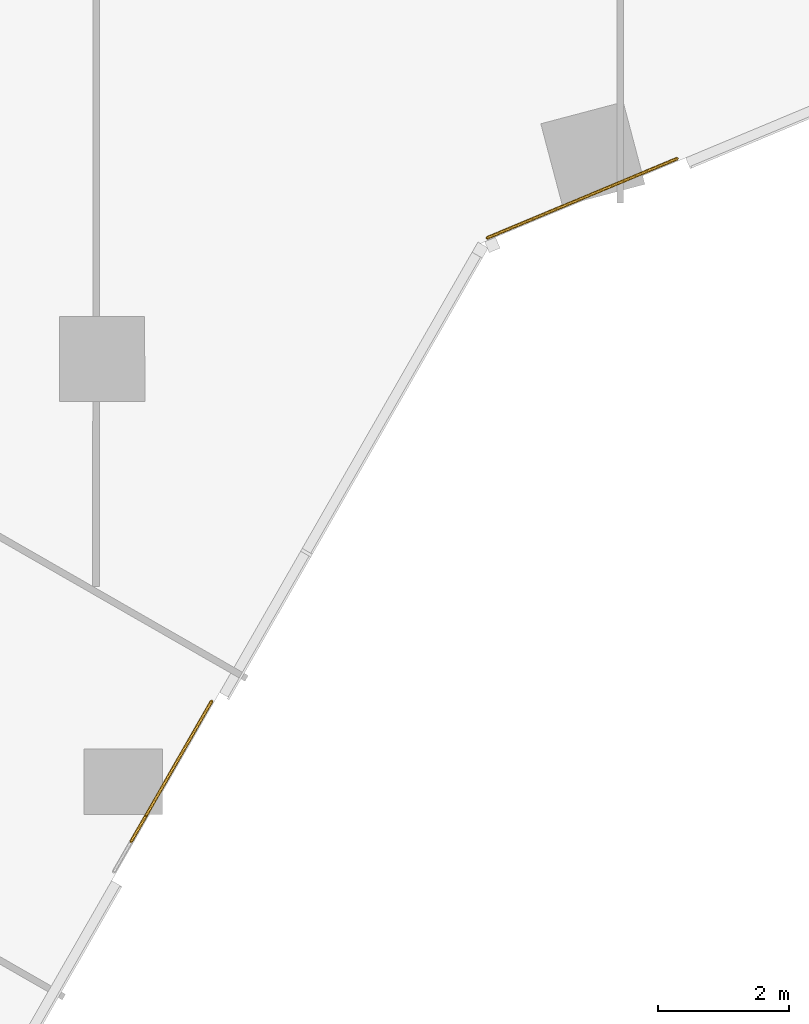
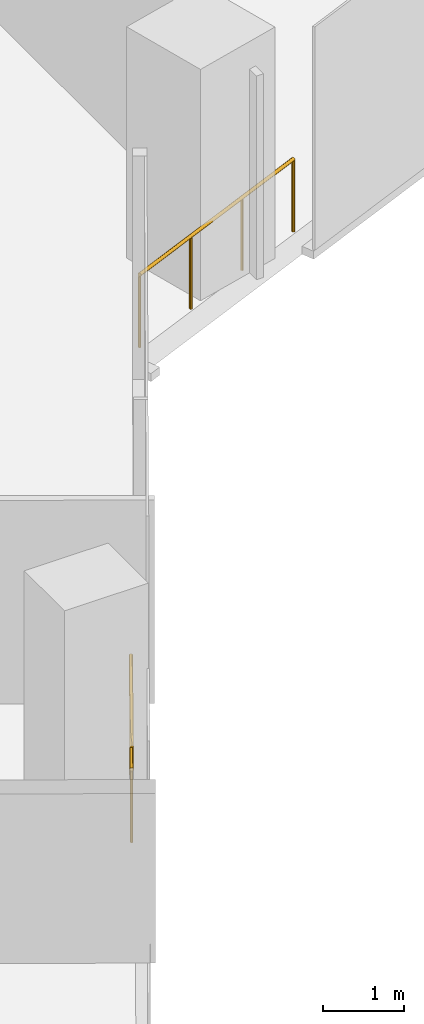
# One storey, part 30 of 34: 3 railings.
"""IFC4 building model written with IfcOpenShell, lengths in metres."""

import ifcopenshell
import ifcopenshell.guid

model = None  # the IFC model being written
_history = None  # IfcOwnerHistory: only IFC2X3 demands one
_inside = {}  # id of a spatial element -> (the spatial element, [elements in it])
_under = {}  # id of a project, library or spatial element -> (it, [spatial elements below it])
_declared = {}  # id of a project -> (the project, [libraries it declares])
_typed = {}  # id of a type object -> (the type object, [elements of that type])
_made_of = {}  # id of a material, layer set ... -> (it, [elements and type objects made of it])


def new_model(schema):
    """Start an empty IFC model of exactly this schema.

    Asked for "IFC4X3", IfcOpenShell would pick the latest addendum, in which some entities
    have other attributes; the version numbers below select the first issue.
    IFC2X3 requires an IfcOwnerHistory on every rooted entity: one is made here for all.
    """
    global model, _history
    if schema == "IFC4X3":
        model = ifcopenshell.file(schema_version=(4, 3, 0, 0))
    else:
        model = ifcopenshell.file(schema=schema)
    _inside.clear()
    _under.clear()
    _declared.clear()
    _typed.clear()
    _made_of.clear()
    _history = None
    if model.schema == "IFC2X3":
        org = make("IfcOrganization", Name="unknown")
        user = make(
            "IfcPersonAndOrganization",
            ThePerson=make("IfcPerson", FamilyName="unknown"),
            TheOrganization=org,
        )
        app = make(
            "IfcApplication",
            ApplicationDeveloper=org,
            Version="unknown",
            ApplicationFullName="unknown",
            ApplicationIdentifier="unknown",
        )
        _history = make(
            "IfcOwnerHistory",
            OwningUser=user,
            OwningApplication=app,
            ChangeAction="ADDED",
            CreationDate=0,
        )
    return model


def make(cls, **values):
    """One entity of the class cls with the attributes given. An attribute that is None is left unset."""
    return model.create_entity(
        cls, **{name: value for name, value in values.items() if value is not None}
    )


def rooted(cls, **values):
    """An entity with a GlobalId (a new one), such as an element, a storey or a relation."""
    return make(cls, GlobalId=ifcopenshell.guid.new(), OwnerHistory=_history, **values)


def si_unit(unit_type, name, prefix=None):
    """IfcSIUnit, for example si_unit("LENGTHUNIT", "METRE", prefix="MILLI")."""
    return make("IfcSIUnit", UnitType=unit_type, Prefix=prefix, Name=name)


def assignment(units):
    """IfcUnitAssignment: the units of a project."""
    return None if units is None else make("IfcUnitAssignment", Units=units)


def point(xyz):
    """IfcCartesianPoint."""
    return None if xyz is None else make("IfcCartesianPoint", Coordinates=xyz)


def direction(xyz):
    """IfcDirection."""
    return None if xyz is None else make("IfcDirection", DirectionRatios=xyz)


def frame(location, z_axis=None, x_axis=None):
    """IfcAxis2Placement3D, a coordinate frame: its origin and axes. An axis left out is left unset."""
    return make(
        "IfcAxis2Placement3D",
        Location=point(location),
        Axis=direction(z_axis),
        RefDirection=direction(x_axis),
    )


def frame_2d(location, x_axis=None):
    """IfcAxis2Placement2D, a coordinate frame in the plane: its origin and x axis."""
    return make(
        "IfcAxis2Placement2D", Location=point(location), RefDirection=direction(x_axis)
    )


def origin():
    """The frame at (0, 0, 0) with its axes left unset."""
    return frame((0.0, 0.0, 0.0))


def origin_2d():
    """The frame at (0, 0) in the plane with its x axis left unset."""
    return frame_2d((0.0, 0.0))


def place(relative_to, where):
    """IfcLocalPlacement: puts the frame where relative to a parent placement (None: the world)."""
    return make(
        "IfcLocalPlacement", PlacementRelTo=relative_to, RelativePlacement=where
    )


def context(
    kind, dimensions, precision=None, world=None, true_north=None, identifier=None
):
    """IfcGeometricRepresentationContext, for example the 3D "Model" context."""
    return make(
        "IfcGeometricRepresentationContext",
        ContextIdentifier=identifier,
        ContextType=kind,
        CoordinateSpaceDimension=dimensions,
        Precision=precision,
        WorldCoordinateSystem=world,
        TrueNorth=true_north,
    )


def subcontext(parent, identifier, kind, view, scale=None):
    """IfcGeometricRepresentationSubContext, for example "Body" below "Model"."""
    return make(
        "IfcGeometricRepresentationSubContext",
        ContextIdentifier=identifier,
        ContextType=kind,
        ParentContext=parent,
        TargetScale=scale,
        TargetView=view,
    )


def project(units=None, contexts=None):
    """IfcProject with its units and contexts."""
    return rooted(
        "IfcProject",
        Name="project",
        RepresentationContexts=contexts,
        UnitsInContext=assignment(units),
    )


def spatial(cls, under=None, at=None, **own):
    """A site, building, storey or space (cls), placed at a placement, below another one or the project."""
    s = rooted(cls, ObjectPlacement=at, **own)
    if under is not None:
        _under.setdefault(under.id(), (under, []))[1].append(s)
    return s


def profile(cls, at=None, kind="AREA", **sizes):
    """A parametric profile (cls). Its sizes go by their IFC names, for example OverallWidth=200.0."""
    return make(cls, ProfileType=kind, Position=at, **sizes)


def circle(**sizes):
    """IfcCircleProfileDef."""
    return profile("IfcCircleProfileDef", **sizes)


def extrude(swept, where, along, depth):
    """IfcExtrudedAreaSolid: the profile swept, set in the frame where, extruded along a direction by depth."""
    return make(
        "IfcExtrudedAreaSolid",
        SweptArea=swept,
        Position=where,
        ExtrudedDirection=direction(along),
        Depth=depth,
    )


def shape(context_of_items, identifier, shape_type, items):
    """IfcShapeRepresentation: the items that make up one representation, for example the "Body"."""
    return make(
        "IfcShapeRepresentation",
        ContextOfItems=context_of_items,
        RepresentationIdentifier=identifier,
        RepresentationType=shape_type,
        Items=items,
    )


def material(Name=None, Category=None):
    """IfcMaterial."""
    return make("IfcMaterial", Name=Name, Category=Category)


def made_of(thing, what):
    """Note that an element or type object is made of a material, layer set ...; save() writes the relation."""
    if what is not None:
        _made_of.setdefault(what.id(), (what, []))[1].append(thing)
    return thing


def type_object(cls, material=None, **own):
    """A type object (cls), such as IfcWallType, which elements share."""
    return made_of(rooted(cls, **own), material)


def element(
    cls,
    number,
    at=None,
    inside=None,
    cuts=None,
    type_object=None,
    material=None,
    context=None,
    identifier="Body",
    shape_type=None,
    held_by="IfcProductDefinitionShape",
    body=None,
    shapes=None,
    **own,
):
    """One element of the class cls, such as IfcWall. Its Tag is "e" and its number.

    at: its placement. inside: the storey or other place that contains it. cuts: it is an
    opening in that element (IfcRelVoidsElement). A single representation is given by context,
    identifier, shape_type and body (its items); several are given by shapes. held_by: the class
    of the entity that holds the representations. save() writes the other relations.
    """
    e = rooted(cls, Tag="e%d" % number, ObjectPlacement=at, **own)
    if body is not None:
        shapes = [shape(context, identifier, shape_type, body)]
    if shapes is not None:
        e.Representation = make(held_by, Representations=shapes)
    if inside is not None:
        _inside.setdefault(inside.id(), (inside, []))[1].append(e)
    if cuts is not None:
        rooted(
            "IfcRelVoidsElement", RelatingBuildingElement=cuts, RelatedOpeningElement=e
        )
    if type_object is not None:
        _typed.setdefault(type_object.id(), (type_object, []))[1].append(e)
    return made_of(e, material)


def aggregate(whole, parts):
    """IfcRelAggregates: a whole, such as a stair, and the parts it consists of."""
    return rooted("IfcRelAggregates", RelatingObject=whole, RelatedObjects=parts)


def save(model, path):
    """Write the relations noted so far, then the file.

    IfcRelAggregates (storeys below a building ...), IfcRelContainedInSpatialStructure (elements
    in a storey), IfcRelDefinesByType, IfcRelAssociatesMaterial and IfcRelDeclares: one each for
    every whole, place, type object, material and project.
    """
    for whole, parts in _under.values():
        aggregate(whole, parts)
    for where, things in _inside.values():
        rooted(
            "IfcRelContainedInSpatialStructure",
            RelatedElements=things,
            RelatingStructure=where,
        )
    for kind, things in _typed.values():
        rooted("IfcRelDefinesByType", RelatedObjects=things, RelatingType=kind)
    for what, things in _made_of.values():
        rooted("IfcRelAssociatesMaterial", RelatedObjects=things, RelatingMaterial=what)
    for by, libraries in _declared.values():
        rooted("IfcRelDeclares", RelatingContext=by, RelatedDefinitions=libraries)
    model.write(path)


model = new_model("IFC4")

# Units and contexts
model_context = context("Model", 3, precision=1e-05, world=origin(), true_north=direction((0.0, 1.0)))
body_context = subcontext(model_context, "Body", "Model", "MODEL_VIEW")
ifc_project = project(units=[si_unit("LENGTHUNIT", "METRE"), si_unit("AREAUNIT", "SQUARE_METRE"), si_unit("VOLUMEUNIT", "CUBIC_METRE"), si_unit("PLANEANGLEUNIT", "RADIAN"), si_unit("MASSUNIT", "GRAM", prefix="KILO")], contexts=[model_context])

# Site, building, storey
site_placement = place(None, origin())
site = spatial("IfcSite", under=ifc_project, at=site_placement, CompositionType="ELEMENT")
building_placement = place(site_placement, origin())
building = spatial("IfcBuilding", under=site, at=building_placement, Name="Orlundy Tower", CompositionType="ELEMENT")
storey_placement = place(building_placement, frame((0.0, 0.0, 102.199951171875)))
storey = spatial("IfcBuildingStorey", under=building, at=storey_placement, Name="L25", CompositionType="ELEMENT", Elevation=102.199951171875)

# Railings
ifc_material = material(Name="Stainless steel bronze finish", Category="steel")
railing_type = type_object("IfcRailingType", Name="TG1 terrace guard", PredefinedType="GUARDRAIL", material=ifc_material)
railing_1_placement = place(storey_placement, frame((8.86865234375, -28.76416015625, 0.0)))
element("IfcRailing", 1, at=railing_1_placement, inside=storey, type_object=railing_type, Name="Guard TG-L25-E07", PredefinedType="GUARDRAIL", context=body_context, shape_type="SweptSolid", body=[
    extrude(circle(Radius=0.02490234375, at=origin_2d()), frame((0.0, 0.0, 1.09521484375), z_axis=(-0.922766308156, -0.385360014183, 0.0), x_axis=(0.385360014183, -0.922766308156, 0.0)), (0.0, 0.0, 1.0), 3.142333984375),
    extrude(circle(Radius=0.02001953125, at=origin_2d()), origin(), (0.0, 0.0, 1.0), 1.070068359375),
    extrude(circle(Radius=0.02001953125, at=origin_2d()), frame((-0.966552734375, -0.403564453125, 0.0)), (0.0, 0.0, 1.0), 1.070068359375),
    extrude(circle(Radius=0.02001953125, at=origin_2d()), frame((-1.93310546875, -0.807373046875, 0.0)), (0.0, 0.0, 1.0), 1.070068359375),
    extrude(circle(Radius=0.02001953125, at=origin_2d()), frame((-2.899658203125, -1.2109375, 0.0)), (0.0, 0.0, 1.0), 1.070068359375),
])
railing_2_placement = place(storey_placement, frame((1.76318359375, -37.047607421875, 0.0)))
element("IfcRailing", 2, at=railing_2_placement, inside=storey, type_object=railing_type, Name="Guard TG-L25-E020", PredefinedType="GUARDRAIL", context=body_context, shape_type="SweptSolid", body=[
    extrude(circle(Radius=0.02490234375, at=origin_2d()), frame((0.0, 0.0, 1.09521484375), z_axis=(-0.497356344918, -0.867546348139, 0.0), x_axis=(0.867546348139, -0.497356344918, 0.0)), (0.0, 0.0, 1.0), 2.029296875),
    extrude(circle(Radius=0.02001953125, at=origin_2d()), origin(), (0.0, 0.0, 1.0), 1.070068359375),
    extrude(circle(Radius=0.02001953125, at=origin_2d()), frame((-0.504638671875, -0.88037109375, 0.0)), (0.0, 0.0, 1.0), 1.070068359375),
    extrude(circle(Radius=0.02001953125, at=origin_2d()), frame((-1.00927734375, -1.760498046875, 0.0)), (0.0, 0.0, 1.0), 1.070068359375),
])
railing_3_placement = place(storey_placement, frame((0.75390625, -38.80810546875, 0.0)))
element("IfcRailing", 3, at=railing_3_placement, inside=storey, type_object=railing_type, Name="Guard TG-L25-E032", PredefinedType="GUARDRAIL", context=body_context, shape_type="SweptSolid", body=[
    extrude(circle(Radius=0.02490234375, at=origin_2d()), frame((0.0, 0.0, 1.09521484375), z_axis=(-0.49781334812, -0.867284192427, 0.0), x_axis=(0.867284192427, -0.49781334812, 0.0)), (0.0, 0.0, 1.0), 0.439453125),
    extrude(circle(Radius=0.02001953125, at=origin_2d()), origin(), (0.0, 0.0, 1.0), 1.070068359375),
    extrude(circle(Radius=0.02001953125, at=origin_2d()), frame((-0.21875, -0.381103515625, 0.0)), (0.0, 0.0, 1.0), 1.070068359375),
])

save(model, "model.ifc")
